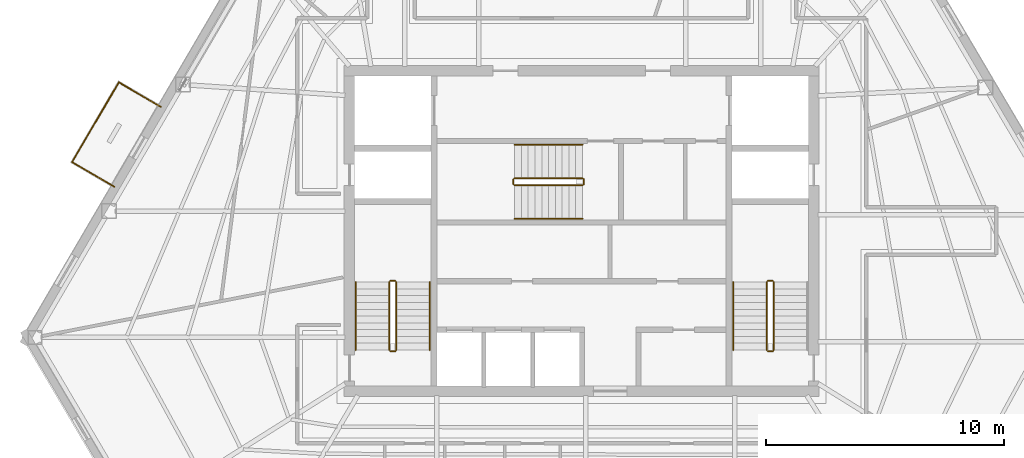
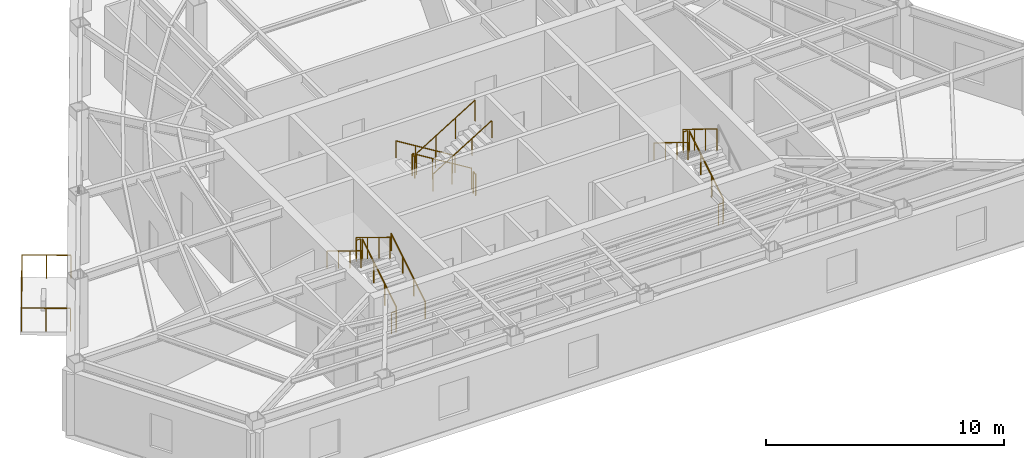
# One storey, part 9 of 10: 20 railings.
"""IFC4 building model written with IfcOpenShell, lengths in metres."""

from ifc_helpers import new_model, si_unit, direction, frame, origin, origin_2d, place, context, subcontext, project, spatial, circle, extrude, material, type_object, element, save


model = new_model("IFC4")

# Units and contexts
model_context = context("Model", 3, precision=1e-05, world=origin(), true_north=direction((0.0, 1.0)))
body_context = subcontext(model_context, "Body", "Model", "MODEL_VIEW")
ifc_project = project(units=[si_unit("LENGTHUNIT", "METRE"), si_unit("AREAUNIT", "SQUARE_METRE"), si_unit("VOLUMEUNIT", "CUBIC_METRE"), si_unit("PLANEANGLEUNIT", "RADIAN"), si_unit("MASSUNIT", "GRAM", prefix="KILO")], contexts=[model_context])

# Site, building, storey
site_placement = place(None, origin())
site = spatial("IfcSite", under=ifc_project, at=site_placement, CompositionType="ELEMENT")
building_placement = place(site_placement, origin())
building = spatial("IfcBuilding", under=site, at=building_placement, Name="Kavelnor Concourse Tower", CompositionType="ELEMENT")
storey_placement = place(building_placement, frame((0.0, 0.0, 199.64990234375)))
storey = spatial("IfcBuildingStorey", under=building, at=storey_placement, Name="L50", CompositionType="ELEMENT", Elevation=199.64990234375)

# Railings
ifc_material_1 = material(Name="Steel Grade 350", Category="steel")
railing_type_1 = type_object("IfcRailingType", Name="RLG-GUARD-1100", PredefinedType="GUARDRAIL", material=ifc_material_1)
railing_1_placement = place(storey_placement, frame((30.22998046875, 11.10009765625, 0.175048828125)))
element("IfcRailing", 1, at=railing_1_placement, inside=storey, type_object=railing_type_1, Name="L50 ST1 stair guard 1", PredefinedType="GUARDRAIL", context=body_context, shape_type="SweptSolid", body=[
    extrude(circle(Radius=0.02392578125, at=origin_2d()), frame((0.0, 0.0, 1.076171875), z_axis=(0.0, 0.852159232446, 0.523282564737), x_axis=(-1.0, 0.0, 0.0)), (0.0, 0.0, 1.0), 3.34423828125),
    extrude(circle(Radius=0.02099609375, at=origin_2d()), origin(), (0.0, 0.0, 1.0), 1.052001953125),
    extrude(circle(Radius=0.02099609375, at=origin_2d()), frame((0.0, 0.949951171875, 0.583251953125)), (0.0, 0.0, 1.0), 1.052001953125),
    extrude(circle(Radius=0.02099609375, at=origin_2d()), frame((0.0, 1.89990234375, 1.166748046875)), (0.0, 0.0, 1.0), 1.052001953125),
    extrude(circle(Radius=0.02099609375, at=origin_2d()), frame((0.0, 2.849853515625, 1.75)), (0.0, 0.0, 1.0), 1.052001953125),
])
railing_2_placement = place(storey_placement, frame((30.179931640625, 14.0, 1.925048828125)))
element("IfcRailing", 2, at=railing_2_placement, inside=storey, type_object=railing_type_1, Name="L50 ST1 stair guard 2", PredefinedType="GUARDRAIL", context=body_context, shape_type="SweptSolid", body=[
    extrude(circle(Radius=0.02392578125, at=origin_2d()), frame((0.0, 0.0, 1.076171875), z_axis=(-1.0, 0.0, 0.0), x_axis=(0.0, -1.0, 0.0)), (0.0, 0.0, 1.0), 0.199951171875),
    extrude(circle(Radius=0.02099609375, at=origin_2d()), origin(), (0.0, 0.0, 1.0), 1.052001953125),
    extrude(circle(Radius=0.02099609375, at=origin_2d()), frame((-0.199951171875, 0.0, 0.0)), (0.0, 0.0, 1.0), 1.052001953125),
])
railing_3_placement = place(storey_placement, frame((29.929931640625, 13.949951171875, 2.10009765625)))
element("IfcRailing", 3, at=railing_3_placement, inside=storey, type_object=railing_type_1, Name="L50 ST1 stair guard 3", PredefinedType="GUARDRAIL", context=body_context, shape_type="SweptSolid", body=[
    extrude(circle(Radius=0.02392578125, at=origin_2d()), frame((0.0, 0.0, 1.076171875), z_axis=(0.0, -0.852159232446, 0.523282564737), x_axis=(1.0, 0.0, 0.0)), (0.0, 0.0, 1.0), 3.34423828125),
    extrude(circle(Radius=0.02099609375, at=origin_2d()), origin(), (0.0, 0.0, 1.0), 1.052001953125),
    extrude(circle(Radius=0.02099609375, at=origin_2d()), frame((0.0, -0.949951171875, 0.583251953125)), (0.0, 0.0, 1.0), 1.052001953125),
    extrude(circle(Radius=0.02099609375, at=origin_2d()), frame((0.0, -1.89990234375, 1.166748046875)), (0.0, 0.0, 1.0), 1.052001953125),
    extrude(circle(Radius=0.02099609375, at=origin_2d()), frame((0.0, -2.849853515625, 1.75)), (0.0, 0.0, 1.0), 1.052001953125),
])
railing_4_placement = place(storey_placement, frame((30.179931640625, 11.050048828125, 0.0)))
element("IfcRailing", 4, at=railing_4_placement, inside=storey, type_object=railing_type_1, Name="L50 ST1 stair guard 4", PredefinedType="GUARDRAIL", context=body_context, shape_type="SweptSolid", body=[
    extrude(circle(Radius=0.02392578125, at=origin_2d()), frame((0.0, 0.0, 1.076171875), z_axis=(-1.0, 0.0, 0.0), x_axis=(0.0, -1.0, 0.0)), (0.0, 0.0, 1.0), 0.199951171875),
    extrude(circle(Radius=0.02099609375, at=origin_2d()), origin(), (0.0, 0.0, 1.0), 1.052001953125),
    extrude(circle(Radius=0.02099609375, at=origin_2d()), frame((-0.199951171875, 0.0, 0.0)), (0.0, 0.0, 1.0), 1.052001953125),
])
railing_5_placement = place(storey_placement, frame((46.070068359375, 11.10009765625, 0.175048828125)))
element("IfcRailing", 5, at=railing_5_placement, inside=storey, type_object=railing_type_1, Name="L50 ST2 stair guard 1", PredefinedType="GUARDRAIL", context=body_context, shape_type="SweptSolid", body=[
    extrude(circle(Radius=0.02392578125, at=origin_2d()), frame((0.0, 0.0, 1.076171875), z_axis=(0.0, 0.852159232446, 0.523282564737), x_axis=(-1.0, 0.0, 0.0)), (0.0, 0.0, 1.0), 3.34423828125),
    extrude(circle(Radius=0.02099609375, at=origin_2d()), origin(), (0.0, 0.0, 1.0), 1.052001953125),
    extrude(circle(Radius=0.02099609375, at=origin_2d()), frame((0.0, 0.949951171875, 0.583251953125)), (0.0, 0.0, 1.0), 1.052001953125),
    extrude(circle(Radius=0.02099609375, at=origin_2d()), frame((0.0, 1.89990234375, 1.166748046875)), (0.0, 0.0, 1.0), 1.052001953125),
    extrude(circle(Radius=0.02099609375, at=origin_2d()), frame((0.0, 2.849853515625, 1.75)), (0.0, 0.0, 1.0), 1.052001953125),
])
railing_6_placement = place(storey_placement, frame((46.02001953125, 14.0, 1.925048828125)))
element("IfcRailing", 6, at=railing_6_placement, inside=storey, type_object=railing_type_1, Name="L50 ST2 stair guard 2", PredefinedType="GUARDRAIL", context=body_context, shape_type="SweptSolid", body=[
    extrude(circle(Radius=0.02392578125, at=origin_2d()), frame((0.0, 0.0, 1.076171875), z_axis=(-1.0, 0.0, 0.0), x_axis=(0.0, -1.0, 0.0)), (0.0, 0.0, 1.0), 0.199951171875),
    extrude(circle(Radius=0.02099609375, at=origin_2d()), origin(), (0.0, 0.0, 1.0), 1.052001953125),
    extrude(circle(Radius=0.02099609375, at=origin_2d()), frame((-0.199951171875, 0.0, 0.0)), (0.0, 0.0, 1.0), 1.052001953125),
])
railing_7_placement = place(storey_placement, frame((45.77001953125, 13.949951171875, 2.10009765625)))
element("IfcRailing", 7, at=railing_7_placement, inside=storey, type_object=railing_type_1, Name="L50 ST2 stair guard 3", PredefinedType="GUARDRAIL", context=body_context, shape_type="SweptSolid", body=[
    extrude(circle(Radius=0.02392578125, at=origin_2d()), frame((0.0, 0.0, 1.076171875), z_axis=(0.0, -0.852159232446, 0.523282564737), x_axis=(1.0, 0.0, 0.0)), (0.0, 0.0, 1.0), 3.34423828125),
    extrude(circle(Radius=0.02099609375, at=origin_2d()), origin(), (0.0, 0.0, 1.0), 1.052001953125),
    extrude(circle(Radius=0.02099609375, at=origin_2d()), frame((0.0, -0.949951171875, 0.583251953125)), (0.0, 0.0, 1.0), 1.052001953125),
    extrude(circle(Radius=0.02099609375, at=origin_2d()), frame((0.0, -1.89990234375, 1.166748046875)), (0.0, 0.0, 1.0), 1.052001953125),
    extrude(circle(Radius=0.02099609375, at=origin_2d()), frame((0.0, -2.849853515625, 1.75)), (0.0, 0.0, 1.0), 1.052001953125),
])
railing_8_placement = place(storey_placement, frame((46.02001953125, 11.050048828125, 0.0)))
element("IfcRailing", 8, at=railing_8_placement, inside=storey, type_object=railing_type_1, Name="L50 ST2 stair guard 4", PredefinedType="GUARDRAIL", context=body_context, shape_type="SweptSolid", body=[
    extrude(circle(Radius=0.02392578125, at=origin_2d()), frame((0.0, 0.0, 1.076171875), z_axis=(-1.0, 0.0, 0.0), x_axis=(0.0, -1.0, 0.0)), (0.0, 0.0, 1.0), 0.199951171875),
    extrude(circle(Radius=0.02099609375, at=origin_2d()), origin(), (0.0, 0.0, 1.0), 1.052001953125),
    extrude(circle(Radius=0.02099609375, at=origin_2d()), frame((-0.199951171875, 0.0, 0.0)), (0.0, 0.0, 1.0), 1.052001953125),
])
railing_9_placement = place(storey_placement, frame((38.0400390625, 18.31005859375, 0.175048828125)))
element("IfcRailing", 9, at=railing_9_placement, inside=storey, type_object=railing_type_1, Name="L50 ST3 stair guard 1", PredefinedType="GUARDRAIL", context=body_context, shape_type="SweptSolid", body=[
    extrude(circle(Radius=0.02392578125, at=origin_2d()), frame((0.0, 0.0, 1.076171875), z_axis=(-0.852179220489, 0.0, 0.52325001306), x_axis=(0.0, -1.0, 0.0)), (0.0, 0.0, 1.0), 3.344482421875),
    extrude(circle(Radius=0.02099609375, at=origin_2d()), origin(), (0.0, 0.0, 1.0), 1.052001953125),
    extrude(circle(Radius=0.02099609375, at=origin_2d()), frame((-0.949951171875, 0.0, 0.583251953125)), (0.0, 0.0, 1.0), 1.052001953125),
    extrude(circle(Radius=0.02099609375, at=origin_2d()), frame((-1.900146484375, 0.0, 1.166748046875)), (0.0, 0.0, 1.0), 1.052001953125),
    extrude(circle(Radius=0.02099609375, at=origin_2d()), frame((-2.85009765625, 0.0, 1.75)), (0.0, 0.0, 1.0), 1.052001953125),
])
railing_10_placement = place(storey_placement, frame((35.139892578125, 18.260009765625, 1.925048828125)))
element("IfcRailing", 10, at=railing_10_placement, inside=storey, type_object=railing_type_1, Name="L50 ST3 stair guard 2", PredefinedType="GUARDRAIL", context=body_context, shape_type="SweptSolid", body=[
    extrude(circle(Radius=0.02392578125, at=origin_2d()), frame((0.0, 0.0, 1.076171875), z_axis=(0.0, -1.0, 0.0), x_axis=(1.0, 0.0, 0.0)), (0.0, 0.0, 1.0), 0.199951171875),
    extrude(circle(Radius=0.02099609375, at=origin_2d()), origin(), (0.0, 0.0, 1.0), 1.052001953125),
    extrude(circle(Radius=0.02099609375, at=origin_2d()), frame((0.0, -0.199951171875, 0.0)), (0.0, 0.0, 1.0), 1.052001953125),
])
railing_11_placement = place(storey_placement, frame((35.18994140625, 18.010009765625, 2.10009765625)))
element("IfcRailing", 11, at=railing_11_placement, inside=storey, type_object=railing_type_1, Name="L50 ST3 stair guard 3", PredefinedType="GUARDRAIL", context=body_context, shape_type="SweptSolid", body=[
    extrude(circle(Radius=0.02392578125, at=origin_2d()), frame((0.0, 0.0, 1.076171875), z_axis=(0.852179220489, 0.0, 0.52325001306), x_axis=(0.0, 1.0, 0.0)), (0.0, 0.0, 1.0), 3.344482421875),
    extrude(circle(Radius=0.02099609375, at=origin_2d()), origin(), (0.0, 0.0, 1.0), 1.052001953125),
    extrude(circle(Radius=0.02099609375, at=origin_2d()), frame((0.949951171875, 0.0, 0.583251953125)), (0.0, 0.0, 1.0), 1.052001953125),
    extrude(circle(Radius=0.02099609375, at=origin_2d()), frame((1.900146484375, 0.0, 1.166748046875)), (0.0, 0.0, 1.0), 1.052001953125),
    extrude(circle(Radius=0.02099609375, at=origin_2d()), frame((2.85009765625, 0.0, 1.75)), (0.0, 0.0, 1.0), 1.052001953125),
])
railing_12_placement = place(storey_placement, frame((38.090087890625, 18.260009765625, 0.0)))
element("IfcRailing", 12, at=railing_12_placement, inside=storey, type_object=railing_type_1, Name="L50 ST3 stair guard 4", PredefinedType="GUARDRAIL", context=body_context, shape_type="SweptSolid", body=[
    extrude(circle(Radius=0.02392578125, at=origin_2d()), frame((0.0, 0.0, 1.076171875), z_axis=(0.0, -1.0, 0.0), x_axis=(1.0, 0.0, 0.0)), (0.0, 0.0, 1.0), 0.199951171875),
    extrude(circle(Radius=0.02099609375, at=origin_2d()), origin(), (0.0, 0.0, 1.0), 1.052001953125),
    extrude(circle(Radius=0.02099609375, at=origin_2d()), frame((0.0, -0.199951171875, 0.0)), (0.0, 0.0, 1.0), 1.052001953125),
])
railing_type_2 = type_object("IfcRailingType", Name="RLG-HANDRAIL-900", PredefinedType="HANDRAIL", material=ifc_material_1)
railing_13_placement = place(storey_placement, frame((31.6298828125, 11.10009765625, 0.175048828125)))
element("IfcRailing", 13, at=railing_13_placement, inside=storey, type_object=railing_type_2, Name="L50 ST1 stair handrail 1", PredefinedType="HANDRAIL", context=body_context, shape_type="SweptSolid", body=[
    extrude(circle(Radius=0.02392578125, at=origin_2d()), frame((0.0, 0.0, 0.8759765625), z_axis=(0.0, 0.852159232446, 0.523282564737), x_axis=(-1.0, 0.0, 0.0)), (0.0, 0.0, 1.0), 3.34423828125),
    extrude(circle(Radius=0.02099609375, at=origin_2d()), origin(), (0.0, 0.0, 1.0), 0.851806640625),
    extrude(circle(Radius=0.02099609375, at=origin_2d()), frame((0.0, 0.949951171875, 0.583251953125)), (0.0, 0.0, 1.0), 0.851806640625),
    extrude(circle(Radius=0.02099609375, at=origin_2d()), frame((0.0, 1.89990234375, 1.166748046875)), (0.0, 0.0, 1.0), 0.851806640625),
    extrude(circle(Radius=0.02099609375, at=origin_2d()), frame((0.0, 2.849853515625, 1.75)), (0.0, 0.0, 1.0), 0.851806640625),
])
for number, where, name in (
    (14, (28.530029296875, 13.949951171875, 2.10009765625), "L50 ST1 stair handrail 2"),
    (15, (44.3701171875, 13.949951171875, 2.10009765625), "L50 ST2 stair handrail 2"),
):
    element("IfcRailing", number, at=place(storey_placement, frame(where)), inside=storey, type_object=railing_type_2, Name=name, PredefinedType="HANDRAIL", context=body_context, shape_type="SweptSolid", body=[
        extrude(circle(Radius=0.02392578125, at=origin_2d()), frame((0.0, 0.0, 0.8759765625), z_axis=(0.0, -0.852159232446, 0.523282564737), x_axis=(1.0, 0.0, 0.0)), (0.0, 0.0, 1.0), 3.34423828125),
        extrude(circle(Radius=0.02099609375, at=origin_2d()), origin(), (0.0, 0.0, 1.0), 0.851806640625),
        extrude(circle(Radius=0.02099609375, at=origin_2d()), frame((0.0, -0.949951171875, 0.583251953125)), (0.0, 0.0, 1.0), 0.851806640625),
        extrude(circle(Radius=0.02099609375, at=origin_2d()), frame((0.0, -1.89990234375, 1.166748046875)), (0.0, 0.0, 1.0), 0.851806640625),
        extrude(circle(Radius=0.02099609375, at=origin_2d()), frame((0.0, -2.849853515625, 1.75)), (0.0, 0.0, 1.0), 0.851806640625),
    ])
railing_14_placement = place(storey_placement, frame((38.0400390625, 19.7099609375, 0.175048828125)))
element("IfcRailing", 16, at=railing_14_placement, inside=storey, type_object=railing_type_2, Name="L50 ST3 stair handrail 1", PredefinedType="HANDRAIL", context=body_context, shape_type="SweptSolid", body=[
    extrude(circle(Radius=0.02392578125, at=origin_2d()), frame((0.0, 0.0, 0.8759765625), z_axis=(-0.852179220489, 0.0, 0.52325001306), x_axis=(0.0, -1.0, 0.0)), (0.0, 0.0, 1.0), 3.344482421875),
    extrude(circle(Radius=0.02099609375, at=origin_2d()), origin(), (0.0, 0.0, 1.0), 0.851806640625),
    extrude(circle(Radius=0.02099609375, at=origin_2d()), frame((-0.949951171875, 0.0, 0.583251953125)), (0.0, 0.0, 1.0), 0.851806640625),
    extrude(circle(Radius=0.02099609375, at=origin_2d()), frame((-1.900146484375, 0.0, 1.166748046875)), (0.0, 0.0, 1.0), 0.851806640625),
    extrude(circle(Radius=0.02099609375, at=origin_2d()), frame((-2.85009765625, 0.0, 1.75)), (0.0, 0.0, 1.0), 0.851806640625),
])
railing_15_placement = place(storey_placement, frame((35.18994140625, 16.610107421875, 2.10009765625)))
element("IfcRailing", 17, at=railing_15_placement, inside=storey, type_object=railing_type_2, Name="L50 ST3 stair handrail 2", PredefinedType="HANDRAIL", context=body_context, shape_type="SweptSolid", body=[
    extrude(circle(Radius=0.02392578125, at=origin_2d()), frame((0.0, 0.0, 0.8759765625), z_axis=(0.852179220489, 0.0, 0.52325001306), x_axis=(0.0, 1.0, 0.0)), (0.0, 0.0, 1.0), 3.344482421875),
    extrude(circle(Radius=0.02099609375, at=origin_2d()), origin(), (0.0, 0.0, 1.0), 0.851806640625),
    extrude(circle(Radius=0.02099609375, at=origin_2d()), frame((0.949951171875, 0.0, 0.583251953125)), (0.0, 0.0, 1.0), 0.851806640625),
    extrude(circle(Radius=0.02099609375, at=origin_2d()), frame((1.900146484375, 0.0, 1.166748046875)), (0.0, 0.0, 1.0), 0.851806640625),
    extrude(circle(Radius=0.02099609375, at=origin_2d()), frame((2.85009765625, 0.0, 1.75)), (0.0, 0.0, 1.0), 0.851806640625),
])
ifc_material_2 = material(Name="Architectural bronze-anodised aluminium", Category="aluminium")
railing_type_3 = type_object("IfcRailingType", Name="RLG-TERRACE-1200", PredefinedType="BALUSTRADE", material=ifc_material_2)
railing_16_placement = place(storey_placement, frame((20.350830078125, 21.298828125, 0.0)))
element("IfcRailing", 18, at=railing_16_placement, inside=storey, type_object=railing_type_3, Name="L50 Tree Balcony 2 Guardrail L", PredefinedType="BALUSTRADE", context=body_context, shape_type="SweptSolid", body=[
    extrude(circle(Radius=0.02392578125, at=origin_2d()), frame((0.0, 0.0, 1.17578125), z_axis=(-0.863156265611, 0.504936888271, 0.0), x_axis=(-0.504936888271, -0.863156265611, 0.0)), (0.0, 0.0, 1.0), 2.050048828125),
    extrude(circle(Radius=0.02099609375, at=origin_2d()), origin(), (0.0, 0.0, 1.0), 1.15185546875),
    extrude(circle(Radius=0.02099609375, at=origin_2d()), frame((-0.884765625, 0.517578125, 0.0)), (0.0, 0.0, 1.0), 1.15185546875),
    extrude(circle(Radius=0.02099609375, at=origin_2d()), frame((-1.76953125, 1.03515625, 0.0)), (0.0, 0.0, 1.0), 1.15185546875),
])
railing_17_placement = place(storey_placement, frame((18.581298828125, 22.333984375, 0.0)))
element("IfcRailing", 19, at=railing_17_placement, inside=storey, type_object=railing_type_3, Name="L50 Tree Balcony 2 Guardrail F", PredefinedType="BALUSTRADE", context=body_context, shape_type="SweptSolid", body=[
    extrude(circle(Radius=0.02392578125, at=origin_2d()), frame((0.0, 0.0, 1.17578125), z_axis=(-0.504970004914, -0.863136891888, 0.0), x_axis=(0.863136891888, -0.504970004914, 0.0)), (0.0, 0.0, 1.0), 3.8798828125),
    extrude(circle(Radius=0.02099609375, at=origin_2d()), origin(), (0.0, 0.0, 1.0), 1.15185546875),
    extrude(circle(Radius=0.02099609375, at=origin_2d()), frame((-0.48974609375, -0.837158203125, 0.0)), (0.0, 0.0, 1.0), 1.15185546875),
    extrude(circle(Radius=0.02099609375, at=origin_2d()), frame((-0.9794921875, -1.67431640625, 0.0)), (0.0, 0.0, 1.0), 1.15185546875),
    extrude(circle(Radius=0.02099609375, at=origin_2d()), frame((-1.469482421875, -2.51171875, 0.0)), (0.0, 0.0, 1.0), 1.15185546875),
    extrude(circle(Radius=0.02099609375, at=origin_2d()), frame((-1.959228515625, -3.348876953125, 0.0)), (0.0, 0.0, 1.0), 1.15185546875),
])
railing_18_placement = place(storey_placement, frame((16.6220703125, 18.985107421875, 0.0)))
element("IfcRailing", 20, at=railing_18_placement, inside=storey, type_object=railing_type_3, Name="L50 Tree Balcony 2 Guardrail R", PredefinedType="BALUSTRADE", context=body_context, shape_type="SweptSolid", body=[
    extrude(circle(Radius=0.02392578125, at=origin_2d()), frame((0.0, 0.0, 1.17578125), z_axis=(0.863125897875, -0.504988796328, 0.0), x_axis=(0.504988796328, 0.863125897875, 0.0)), (0.0, 0.0, 1.0), 2.0498046875),
    extrude(circle(Radius=0.02099609375, at=origin_2d()), origin(), (0.0, 0.0, 1.0), 1.15185546875),
    extrude(circle(Radius=0.02099609375, at=origin_2d()), frame((0.884765625, -0.517578125, 0.0)), (0.0, 0.0, 1.0), 1.15185546875),
    extrude(circle(Radius=0.02099609375, at=origin_2d()), frame((1.769287109375, -1.03515625, 0.0)), (0.0, 0.0, 1.0), 1.15185546875),
])

save(model, "model.ifc")
